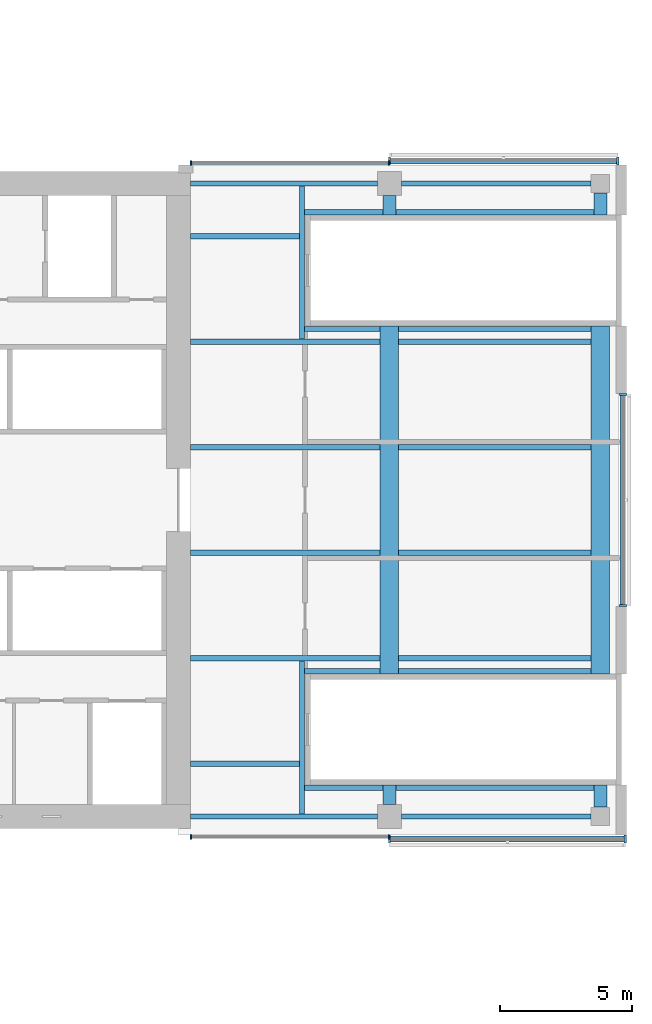
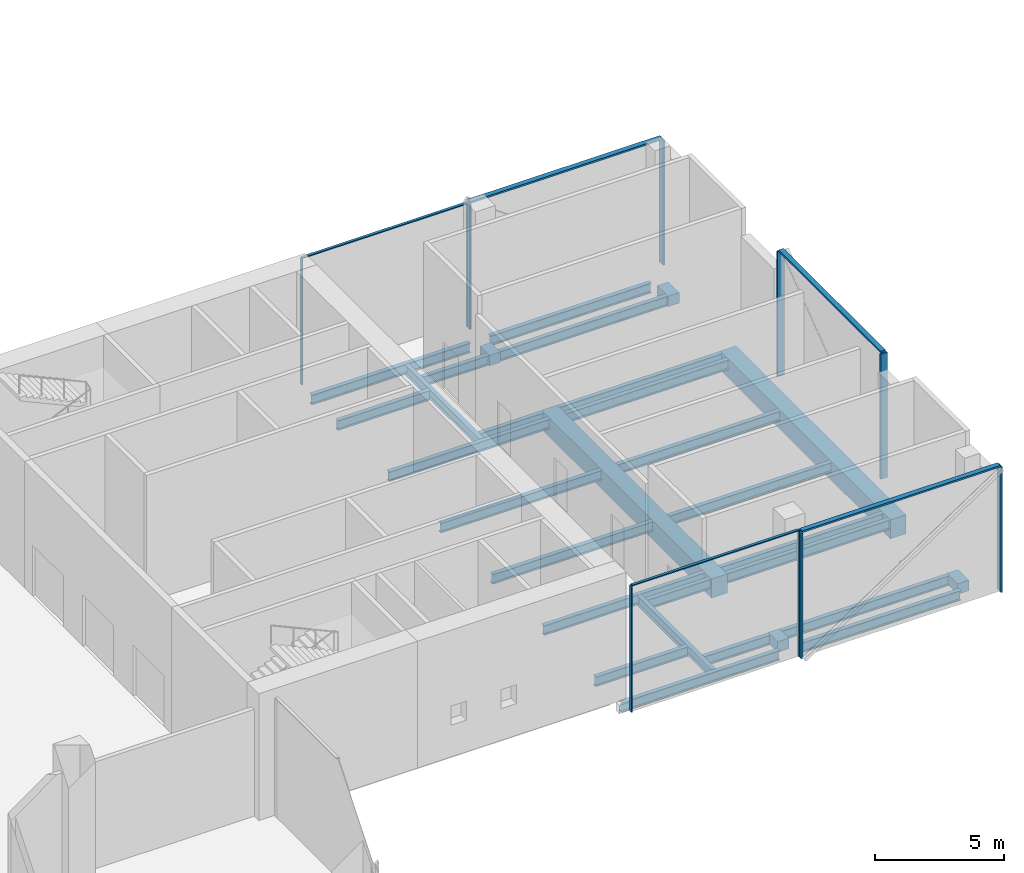
# One storey, part 7 of 23: 30 beams, 15 members, 5 elements without a shape of their own.
"""IFC4 building model written with IfcOpenShell, lengths in metres."""

from ifc_helpers import new_model, si_unit, direction, frame, origin, origin_2d, place, context, subcontext, project, spatial, rectangle, i_section, extrude, material, material_profile, profile_set, type_object, element, aggregate, save


model = new_model("IFC4")

# Units and contexts
model_context = context("Model", 3, precision=1e-05, world=origin(), true_north=direction((0.0, 1.0)))
body_context = subcontext(model_context, "Body", "Model", "MODEL_VIEW")
ifc_project = project(units=[si_unit("LENGTHUNIT", "METRE"), si_unit("AREAUNIT", "SQUARE_METRE"), si_unit("VOLUMEUNIT", "CUBIC_METRE"), si_unit("PLANEANGLEUNIT", "RADIAN"), si_unit("MASSUNIT", "GRAM", prefix="KILO")], contexts=[model_context])

# Site, building, storey
site_placement = place(None, origin())
site = spatial("IfcSite", under=ifc_project, at=site_placement, CompositionType="ELEMENT")
building_placement = place(site_placement, origin())
building = spatial("IfcBuilding", under=site, at=building_placement, Name="Crosswind Convention Tower", CompositionType="ELEMENT")
storey_placement = place(building_placement, frame((0.0, 0.0, 41.5)))
storey = spatial("IfcBuildingStorey", under=building, at=storey_placement, Name="L05", CompositionType="ELEMENT", Elevation=41.5)

# Beams
ifc_material_1 = material(Name="Steel S355", Category="steel")
ifc_material_profile_1 = material_profile(ifc_material_1, i_section(OverallWidth=0.19287109375, OverallDepth=0.467529296875, WebThickness=0.011474609375, FlangeThickness=0.01953125, FilletRadius=0.01025390625, at=origin_2d()), Name="UB 457x191x98")
ifc_profile_set_1 = profile_set([ifc_material_profile_1], Name="Steel S355")
beam_type_1 = type_object("IfcBeamType", Name="Edge beam UB 457x191x98", PredefinedType="SPANDREL", material=ifc_profile_set_1)
for number, where, z_axis, x_axis, name in (
    (1, (153.449951171875, 88.0, -0.6337890625), (1.0, 0.0, 0.0), (0.0, 1.0, 0.0), "B20 L05 edge beam 21"),
    (2, (153.449951171875, 112.0, -0.6337890625), (1.0, 0.0, 0.0), (0.0, 1.0, 0.0), "B20 L05 edge beam 22"),
):
    element("IfcBeam", number, at=place(storey_placement, frame(where, z_axis=z_axis, x_axis=x_axis)), inside=storey, type_object=beam_type_1, Name=name, PredefinedType="SPANDREL", context=body_context, shape_type="SweptSolid", body=[
        extrude(i_section(OverallWidth=0.19287109375, OverallDepth=0.467529296875, WebThickness=0.011474609375, FlangeThickness=0.01953125, FilletRadius=0.01025390625, at=origin_2d()), origin(), (0.0, 0.0, 1.0), 7.10009765625),
    ])
for number, where, z_axis, x_axis, name in (
    (3, (161.449951171875, 88.0, -0.6337890625), (1.0, 0.0, 0.0), (0.0, 1.0, 0.0), "B20 L05 edge beam 23"),
    (4, (161.449951171875, 112.0, -0.6337890625), (1.0, 0.0, 0.0), (0.0, 1.0, 0.0), "B20 L05 edge beam 24"),
):
    element("IfcBeam", number, at=place(storey_placement, frame(where, z_axis=z_axis, x_axis=x_axis)), inside=storey, type_object=beam_type_1, Name=name, PredefinedType="SPANDREL", context=body_context, shape_type="SweptSolid", body=[
        extrude(i_section(OverallWidth=0.19287109375, OverallDepth=0.467529296875, WebThickness=0.011474609375, FlangeThickness=0.01953125, FilletRadius=0.01025390625, at=origin_2d()), origin(), (0.0, 0.0, 1.0), 7.199951171875),
    ])

# Curtain wall, members
ifc_material_2 = material(Name="Aluminium unitised curtain wall", Category="aluminium")
curtain_wall_type_1 = type_object("IfcCurtainWallType", Name="CORE END SLOT WALL 160", PredefinedType="USERDEFINED", material=ifc_material_2)
curtain_wall_1_placement = place(storey_placement, origin())
curtain_wall_1 = element("IfcCurtainWall", 5, at=curtain_wall_1_placement, inside=storey, type_object=curtain_wall_type_1, Name="CW6 L05 E-N.1-2 slot", ObjectType="UNITISED", PredefinedType="USERDEFINED")
ifc_material_3 = material(Name="Aluminium mullion", Category="aluminium")
ifc_material_profile_2 = material_profile(ifc_material_3, rectangle(XDim=0.159912109375, YDim=0.050048828125, at=origin_2d()), Name="AL 160X50")
ifc_profile_set_2 = profile_set([ifc_material_profile_2], Name="Aluminium mullion")
member_type_1 = type_object("IfcMemberType", Name="MULLION 50X160", PredefinedType="MULLION", material=ifc_profile_set_2)
member_1_placement = place(storey_placement, frame((160.97509765625, 112.780029296875, -0.39990234375), z_axis=(0.0, 0.0, 1.0), x_axis=(0.0, 1.0, 0.0)))
member_1 = element("IfcMember", 6, at=member_1_placement, type_object=member_type_1, Name="CW6 mullion 1", PredefinedType="MULLION", context=body_context, shape_type="SweptSolid", body=[
    extrude(rectangle(XDim=0.159912109375, YDim=0.050048828125, at=origin_2d()), origin(), (0.0, 0.0, 1.0), 5.949951171875),
])
member_2_placement = place(storey_placement, frame((153.47509765625, 112.780029296875, -0.39990234375), z_axis=(0.0, 0.0, 1.0), x_axis=(0.0, 1.0, 0.0)))
member_2 = element("IfcMember", 7, at=member_2_placement, type_object=member_type_1, Name="CW6 mullion 2", PredefinedType="MULLION", context=body_context, shape_type="SweptSolid", body=[
    extrude(rectangle(XDim=0.159912109375, YDim=0.050048828125, at=origin_2d()), origin(), (0.0, 0.0, 1.0), 5.949951171875),
])

curtain_wall_2_placement = place(storey_placement, origin())
curtain_wall_2 = element("IfcCurtainWall", 8, at=curtain_wall_2_placement, inside=storey, type_object=curtain_wall_type_1, Name="CW6 L05 E-S.2-1 slot", ObjectType="UNITISED", PredefinedType="USERDEFINED")
member_3_placement = place(storey_placement, frame((153.47509765625, 87.219970703125, -0.39990234375), z_axis=(0.0, 0.0, 1.0), x_axis=(0.0, -1.0, 0.0)))
member_3 = element("IfcMember", 9, at=member_3_placement, type_object=member_type_1, Name="CW6 mullion 1", PredefinedType="MULLION", context=body_context, shape_type="SweptSolid", body=[
    extrude(rectangle(XDim=0.159912109375, YDim=0.050048828125, at=origin_2d()), origin(), (0.0, 0.0, 1.0), 5.949951171875),
])
member_4_placement = place(storey_placement, frame((160.97509765625, 87.219970703125, -0.39990234375), z_axis=(0.0, 0.0, 1.0), x_axis=(0.0, -1.0, 0.0)))
member_4 = element("IfcMember", 10, at=member_4_placement, type_object=member_type_1, Name="CW6 mullion 2", PredefinedType="MULLION", context=body_context, shape_type="SweptSolid", body=[
    extrude(rectangle(XDim=0.159912109375, YDim=0.050048828125, at=origin_2d()), origin(), (0.0, 0.0, 1.0), 5.949951171875),
])

curtain_wall_type_2 = type_object("IfcCurtainWallType", Name="PODIUM UNITISED WALL 300", PredefinedType="USERDEFINED", material=ifc_material_2)
curtain_wall_3_placement = place(storey_placement, origin())
curtain_wall_3 = element("IfcCurtainWall", 11, at=curtain_wall_3_placement, inside=storey, type_object=curtain_wall_type_2, Name="CW1 L05 E-TIP 1", ObjectType="UNITISED", PredefinedType="USERDEFINED")
ifc_material_profile_3 = material_profile(ifc_material_3, rectangle(XDim=0.300048828125, YDim=0.080078125, at=origin_2d()), Name="AL 300X80")
ifc_profile_set_3 = profile_set([ifc_material_profile_3], Name="Aluminium mullion")
member_type_2 = type_object("IfcMemberType", Name="MULLION 80X300", PredefinedType="MULLION", material=ifc_profile_set_3)
member_5_placement = place(storey_placement, frame((169.85009765625, 96.0, -0.39990234375), z_axis=(0.0, 0.0, 1.0), x_axis=(1.0, 0.0, 0.0)))
member_5 = element("IfcMember", 12, at=member_5_placement, type_object=member_type_2, Name="CW1 mullion 1", PredefinedType="MULLION", context=body_context, shape_type="SweptSolid", body=[
    extrude(rectangle(XDim=0.300048828125, YDim=0.080078125, at=origin_2d()), origin(), (0.0, 0.0, 1.0), 5.919921875),
])
member_6_placement = place(storey_placement, frame((169.85009765625, 104.0, -0.39990234375), z_axis=(0.0, 0.0, 1.0), x_axis=(1.0, 0.0, 0.0)))
member_6 = element("IfcMember", 13, at=member_6_placement, type_object=member_type_2, Name="CW1 mullion 2", PredefinedType="MULLION", context=body_context, shape_type="SweptSolid", body=[
    extrude(rectangle(XDim=0.300048828125, YDim=0.080078125, at=origin_2d()), origin(), (0.0, 0.0, 1.0), 5.919921875),
])

curtain_wall_4_placement = place(storey_placement, origin())
curtain_wall_4 = element("IfcCurtainWall", 14, at=curtain_wall_4_placement, inside=storey, type_object=curtain_wall_type_2, Name="CW1 L05 E-N 1", ObjectType="UNITISED", PredefinedType="USERDEFINED")
member_7_placement = place(storey_placement, frame((169.659912109375, 112.85009765625, -0.39990234375), z_axis=(0.0, 0.0, 1.0), x_axis=(0.0, 1.0, 0.0)))
member_7 = element("IfcMember", 15, at=member_7_placement, type_object=member_type_2, Name="CW1 mullion 1", PredefinedType="MULLION", context=body_context, shape_type="SweptSolid", body=[
    extrude(rectangle(XDim=0.300048828125, YDim=0.080078125, at=origin_2d()), origin(), (0.0, 0.0, 1.0), 5.919921875),
])
member_8_placement = place(storey_placement, frame((161.0, 112.85009765625, -0.39990234375), z_axis=(0.0, 0.0, 1.0), x_axis=(0.0, 1.0, 0.0)))
member_8 = element("IfcMember", 16, at=member_8_placement, type_object=member_type_2, Name="CW1 mullion 2", PredefinedType="MULLION", context=body_context, shape_type="SweptSolid", body=[
    extrude(rectangle(XDim=0.300048828125, YDim=0.080078125, at=origin_2d()), origin(), (0.0, 0.0, 1.0), 5.919921875),
])

curtain_wall_5_placement = place(storey_placement, origin())
curtain_wall_5 = element("IfcCurtainWall", 17, at=curtain_wall_5_placement, inside=storey, type_object=curtain_wall_type_2, Name="CW1 L05 E-S 2", ObjectType="UNITISED", PredefinedType="USERDEFINED")
member_9_placement = place(storey_placement, frame((161.0, 87.14990234375, -0.39990234375), z_axis=(0.0, 0.0, 1.0), x_axis=(0.0, -1.0, 0.0)))
member_9 = element("IfcMember", 18, at=member_9_placement, type_object=member_type_2, Name="CW1 mullion 1", PredefinedType="MULLION", context=body_context, shape_type="SweptSolid", body=[
    extrude(rectangle(XDim=0.300048828125, YDim=0.080078125, at=origin_2d()), origin(), (0.0, 0.0, 1.0), 5.919921875),
])
member_10_placement = place(storey_placement, frame((169.945068359375, 87.14990234375, -0.39990234375), z_axis=(0.0, 0.0, 1.0), x_axis=(0.0, -1.0, 0.0)))
member_10 = element("IfcMember", 19, at=member_10_placement, type_object=member_type_2, Name="CW1 mullion 2", PredefinedType="MULLION", context=body_context, shape_type="SweptSolid", body=[
    extrude(rectangle(XDim=0.300048828125, YDim=0.080078125, at=origin_2d()), origin(), (0.0, 0.0, 1.0), 5.919921875),
])

# Beams
ifc_material_4 = material(Name="Concrete C60/75", Category="concrete")
ifc_material_profile_4 = material_profile(ifc_material_4, rectangle(XDim=0.699951171875, YDim=0.89990234375, at=origin_2d()), Name="RC 700X900")
ifc_profile_set_4 = profile_set([ifc_material_profile_4], Name="Concrete C60/75")
beam_type_2 = type_object("IfcBeamType", Name="Prestressed concrete girder between stair walls RC 700X900", PredefinedType="BEAM", material=ifc_profile_set_4)
for number, where, z_axis, x_axis, name in (
    (20, (161.0, 93.39990234375, -0.85009765625), (0.0, 1.0, 0.0), (-1.0, 0.0, 0.0), "B41 L05 prestressed concrete girder between stair walls 7"),
    (21, (169.0, 93.39990234375, -0.85009765625), (0.0, 1.0, 0.0), (-1.0, 0.0, 0.0), "B41 L05 prestressed concrete girder between stair walls 8"),
):
    element("IfcBeam", number, at=place(storey_placement, frame(where, z_axis=z_axis, x_axis=x_axis)), inside=storey, type_object=beam_type_2, Name=name, PredefinedType="BEAM", context=body_context, shape_type="SweptSolid", body=[
        extrude(rectangle(XDim=0.699951171875, YDim=0.89990234375, at=origin_2d()), origin(), (0.0, 0.0, 1.0), 13.2001953125),
    ])
ifc_material_profile_5 = material_profile(ifc_material_1, i_section(OverallWidth=0.19140625, OverallDepth=0.460205078125, WebThickness=0.010009765625, FlangeThickness=0.01611328125, FilletRadius=0.01025390625, at=origin_2d()), Name="UB 457x191x82")
ifc_profile_set_5 = profile_set([ifc_material_profile_5], Name="Steel S355")
beam_type_3 = type_object("IfcBeamType", Name="Secondary beam UB 457x191x82", PredefinedType="JOIST", material=ifc_profile_set_5)
beam_1_placement = place(storey_placement, frame((153.449951171875, 90.0, -0.630126953125), z_axis=(1.0, 0.0, 0.0), x_axis=(0.0, 1.0, 0.0)))
element("IfcBeam", 22, at=beam_1_placement, inside=storey, type_object=beam_type_3, Name="B13 L05 secondary beam 64", PredefinedType="JOIST", context=body_context, shape_type="SweptSolid", body=[
    extrude(i_section(OverallWidth=0.19140625, OverallDepth=0.460205078125, WebThickness=0.010009765625, FlangeThickness=0.01611328125, FilletRadius=0.01025390625, at=origin_2d()), origin(), (0.0, 0.0, 1.0), 4.14404296875),
])
for number, where, z_axis, x_axis, name in (
    (23, (153.449951171875, 94.0, -0.630126953125), (1.0, 0.0, 0.0), (0.0, 1.0, 0.0), "B13 L05 secondary beam 65"),
    (24, (153.449951171875, 98.0, -0.630126953125), (1.0, 0.0, 0.0), (0.0, 1.0, 0.0), "B13 L05 secondary beam 66"),
    (25, (153.449951171875, 102.0, -0.630126953125), (1.0, 0.0, 0.0), (0.0, 1.0, 0.0), "B13 L05 secondary beam 67"),
    (26, (153.449951171875, 106.0, -0.630126953125), (1.0, 0.0, 0.0), (0.0, 1.0, 0.0), "B13 L05 secondary beam 68"),
):
    element("IfcBeam", number, at=place(storey_placement, frame(where, z_axis=z_axis, x_axis=x_axis)), inside=storey, type_object=beam_type_3, Name=name, PredefinedType="JOIST", context=body_context, shape_type="SweptSolid", body=[
        extrude(i_section(OverallWidth=0.19140625, OverallDepth=0.460205078125, WebThickness=0.010009765625, FlangeThickness=0.01611328125, FilletRadius=0.01025390625, at=origin_2d()), origin(), (0.0, 0.0, 1.0), 7.199951171875),
    ])
beam_2_placement = place(storey_placement, frame((153.449951171875, 110.0, -0.630126953125), z_axis=(1.0, 0.0, 0.0), x_axis=(0.0, 1.0, 0.0)))
element("IfcBeam", 27, at=beam_2_placement, inside=storey, type_object=beam_type_3, Name="B13 L05 secondary beam 69", PredefinedType="JOIST", context=body_context, shape_type="SweptSolid", body=[
    extrude(i_section(OverallWidth=0.19140625, OverallDepth=0.460205078125, WebThickness=0.010009765625, FlangeThickness=0.01611328125, FilletRadius=0.01025390625, at=origin_2d()), origin(), (0.0, 0.0, 1.0), 4.14404296875),
])
for number, where, z_axis, x_axis, name in (
    (28, (161.35009765625, 94.0, -0.630126953125), (1.0, 0.0, 0.0), (0.0, 1.0, 0.0), "B13 L05 secondary beam 70"),
    (29, (161.35009765625, 98.0, -0.630126953125), (1.0, 0.0, 0.0), (0.0, 1.0, 0.0), "B13 L05 secondary beam 71"),
    (30, (161.35009765625, 102.0, -0.630126953125), (1.0, 0.0, 0.0), (0.0, 1.0, 0.0), "B13 L05 secondary beam 72"),
    (31, (161.35009765625, 106.0, -0.630126953125), (1.0, 0.0, 0.0), (0.0, 1.0, 0.0), "B13 L05 secondary beam 73"),
):
    element("IfcBeam", number, at=place(storey_placement, frame(where, z_axis=z_axis, x_axis=x_axis)), inside=storey, type_object=beam_type_3, Name=name, PredefinedType="JOIST", context=body_context, shape_type="SweptSolid", body=[
        extrude(i_section(OverallWidth=0.19140625, OverallDepth=0.460205078125, WebThickness=0.010009765625, FlangeThickness=0.01611328125, FilletRadius=0.01025390625, at=origin_2d()), origin(), (0.0, 0.0, 1.0), 7.2998046875),
    ])
ifc_material_profile_6 = material_profile(ifc_material_4, rectangle(XDim=0.5, YDim=0.5, at=origin_2d()), Name="RC 500X500")
ifc_profile_set_6 = profile_set([ifc_material_profile_6], Name="Concrete C60/75")
beam_type_4 = type_object("IfcBeamType", Name="Slab edge tie beam RC 500X500", PredefinedType="BEAM", material=ifc_profile_set_6)
for number, where, z_axis, x_axis, name in (
    (32, (161.0, 88.449951171875, -0.64990234375), (0.0, 1.0, 0.0), (-1.0, 0.0, 0.0), "B42 L05 slab edge tie beam 13"),
    (33, (161.0, 110.800048828125, -0.64990234375), (0.0, 1.0, 0.0), (-1.0, 0.0, 0.0), "B42 L05 slab edge tie beam 14"),
):
    element("IfcBeam", number, at=place(storey_placement, frame(where, z_axis=z_axis, x_axis=x_axis)), inside=storey, type_object=beam_type_4, Name=name, PredefinedType="BEAM", context=body_context, shape_type="SweptSolid", body=[
        extrude(rectangle(XDim=0.5, YDim=0.5, at=origin_2d()), origin(), (0.0, 0.0, 1.0), 0.75),
    ])
for number, where, z_axis, x_axis, name in (
    (34, (169.0, 88.35009765625, -0.64990234375), (0.0, 1.0, 0.0), (-1.0, 0.0, 0.0), "B42 L05 slab edge tie beam 15"),
    (35, (169.0, 110.800048828125, -0.64990234375), (0.0, 1.0, 0.0), (-1.0, 0.0, 0.0), "B42 L05 slab edge tie beam 16"),
):
    element("IfcBeam", number, at=place(storey_placement, frame(where, z_axis=z_axis, x_axis=x_axis)), inside=storey, type_object=beam_type_4, Name=name, PredefinedType="BEAM", context=body_context, shape_type="SweptSolid", body=[
        extrude(rectangle(XDim=0.5, YDim=0.5, at=origin_2d()), origin(), (0.0, 0.0, 1.0), 0.849853515625),
    ])

# Member
ifc_material_5 = material(Name="Aluminium transom", Category="aluminium")
ifc_material_profile_7 = material_profile(ifc_material_5, rectangle(XDim=0.1201171875, YDim=0.050048828125, at=origin_2d()), Name="AL 120X50")
ifc_profile_set_7 = profile_set([ifc_material_profile_7], Name="Aluminium transom")
member_type_3 = type_object("IfcMemberType", Name="TRANSOM 50X120", PredefinedType="USERDEFINED", material=ifc_profile_set_7)
member_11_placement = place(storey_placement, frame((160.949951171875, 112.780029296875, 5.574951171875), z_axis=(-1.0, 0.0, 0.0), x_axis=(0.0, -1.0, 0.0)))
member_11 = element("IfcMember", 36, at=member_11_placement, type_object=member_type_3, Name="CW6 transom", ObjectType="TRANSOM", PredefinedType="USERDEFINED", context=body_context, shape_type="SweptSolid", body=[
    extrude(rectangle(XDim=0.1201171875, YDim=0.050048828125, at=origin_2d()), origin(), (0.0, 0.0, 1.0), 7.449951171875),
])

aggregate(curtain_wall_1, [member_1, member_2, member_11])

member_12_placement = place(storey_placement, frame((153.5, 87.219970703125, 5.574951171875), z_axis=(1.0, 0.0, 0.0), x_axis=(0.0, 1.0, 0.0)))
member_12 = element("IfcMember", 37, at=member_12_placement, type_object=member_type_3, Name="CW6 transom", ObjectType="TRANSOM", PredefinedType="USERDEFINED", context=body_context, shape_type="SweptSolid", body=[
    extrude(rectangle(XDim=0.1201171875, YDim=0.050048828125, at=origin_2d()), origin(), (0.0, 0.0, 1.0), 7.449951171875),
])

aggregate(curtain_wall_2, [member_3, member_4, member_12])

ifc_material_profile_8 = material_profile(ifc_material_5, rectangle(XDim=0.219970703125, YDim=0.080078125, at=origin_2d()), Name="AL 220X80")
ifc_profile_set_8 = profile_set([ifc_material_profile_8], Name="Aluminium transom")
member_type_4 = type_object("IfcMemberType", Name="TRANSOM 80X220", PredefinedType="USERDEFINED", material=ifc_profile_set_8)
member_13_placement = place(storey_placement, frame((169.85009765625, 96.0400390625, 5.56005859375), z_axis=(0.0, 1.0, 0.0), x_axis=(-1.0, 0.0, 0.0)))
member_13 = element("IfcMember", 38, at=member_13_placement, type_object=member_type_4, Name="CW1 transom", ObjectType="TRANSOM", PredefinedType="USERDEFINED", context=body_context, shape_type="SweptSolid", body=[
    extrude(rectangle(XDim=0.219970703125, YDim=0.080078125, at=origin_2d()), origin(), (0.0, 0.0, 1.0), 7.919921875),
])

aggregate(curtain_wall_3, [member_5, member_6, member_13])

member_14_placement = place(storey_placement, frame((169.6201171875, 112.85009765625, 5.56005859375), z_axis=(-1.0, 0.0, 0.0), x_axis=(0.0, -1.0, 0.0)))
member_14 = element("IfcMember", 39, at=member_14_placement, type_object=member_type_4, Name="CW1 transom", ObjectType="TRANSOM", PredefinedType="USERDEFINED", context=body_context, shape_type="SweptSolid", body=[
    extrude(rectangle(XDim=0.219970703125, YDim=0.080078125, at=origin_2d()), origin(), (0.0, 0.0, 1.0), 8.580078125),
])

aggregate(curtain_wall_4, [member_7, member_8, member_14])

member_15_placement = place(storey_placement, frame((161.0400390625, 87.14990234375, 5.56005859375), z_axis=(1.0, 0.0, 0.0), x_axis=(0.0, 1.0, 0.0)))
member_15 = element("IfcMember", 40, at=member_15_placement, type_object=member_type_4, Name="CW1 transom", ObjectType="TRANSOM", PredefinedType="USERDEFINED", context=body_context, shape_type="SweptSolid", body=[
    extrude(rectangle(XDim=0.219970703125, YDim=0.080078125, at=origin_2d()), origin(), (0.0, 0.0, 1.0), 8.864990234375),
])

aggregate(curtain_wall_5, [member_9, member_10, member_15])

# Beams
ifc_material_profile_9 = material_profile(ifc_material_1, i_section(OverallWidth=0.19189453125, OverallDepth=0.463623046875, WebThickness=0.010498046875, FlangeThickness=0.017578125, FilletRadius=0.01025390625, at=origin_2d()), Name="UB 457x191x90")
ifc_profile_set_9 = profile_set([ifc_material_profile_9], Name="Steel S355")
beam_type_5 = type_object("IfcBeamType", Name="Trimmer beam UB 457x191x90", PredefinedType="BEAM", material=ifc_profile_set_9)
for number, where, z_axis, x_axis, name in (
    (41, (157.68994140625, 88.096435546875, -0.6318359375), (0.0, 1.0, 0.0), (-1.0, 0.0, 0.0), "B33 L05 trimmer beam 31"),
    (42, (157.68994140625, 106.095703125, -0.6318359375), (0.0, 1.0, 0.0), (-1.0, 0.0, 0.0), "B33 L05 trimmer beam 32"),
):
    element("IfcBeam", number, at=place(storey_placement, frame(where, z_axis=z_axis, x_axis=x_axis)), inside=storey, type_object=beam_type_5, Name=name, PredefinedType="BEAM", context=body_context, shape_type="SweptSolid", body=[
        extrude(i_section(OverallWidth=0.19189453125, OverallDepth=0.463623046875, WebThickness=0.010498046875, FlangeThickness=0.017578125, FilletRadius=0.01025390625, at=origin_2d()), origin(), (0.0, 0.0, 1.0), 5.807861328125),
    ])
beam_3_placement = place(storey_placement, frame((157.785888671875, 89.090087890625, -0.6318359375), z_axis=(1.0, 0.0, 0.0), x_axis=(0.0, 1.0, 0.0)))
element("IfcBeam", 43, at=beam_3_placement, inside=storey, type_object=beam_type_5, Name="B33 L05 trimmer beam 33", PredefinedType="BEAM", context=body_context, shape_type="SweptSolid", body=[
    extrude(i_section(OverallWidth=0.19189453125, OverallDepth=0.463623046875, WebThickness=0.010498046875, FlangeThickness=0.017578125, FilletRadius=0.01025390625, at=origin_2d()), origin(), (0.0, 0.0, 1.0), 2.964111328125),
])
for number, where, z_axis, x_axis, name in (
    (44, (157.785888671875, 93.510009765625, -0.6318359375), (1.0, 0.0, 0.0), (0.0, 1.0, 0.0), "B33 L05 trimmer beam 34"),
    (45, (157.785888671875, 106.489990234375, -0.6318359375), (1.0, 0.0, 0.0), (0.0, 1.0, 0.0), "B33 L05 trimmer beam 35"),
):
    element("IfcBeam", number, at=place(storey_placement, frame(where, z_axis=z_axis, x_axis=x_axis)), inside=storey, type_object=beam_type_5, Name=name, PredefinedType="BEAM", context=body_context, shape_type="SweptSolid", body=[
        extrude(i_section(OverallWidth=0.19189453125, OverallDepth=0.463623046875, WebThickness=0.010498046875, FlangeThickness=0.017578125, FilletRadius=0.01025390625, at=origin_2d()), origin(), (0.0, 0.0, 1.0), 2.864013671875),
    ])
beam_4_placement = place(storey_placement, frame((157.785888671875, 110.909912109375, -0.6318359375), z_axis=(1.0, 0.0, 0.0), x_axis=(0.0, 1.0, 0.0)))
element("IfcBeam", 46, at=beam_4_placement, inside=storey, type_object=beam_type_5, Name="B33 L05 trimmer beam 36", PredefinedType="BEAM", context=body_context, shape_type="SweptSolid", body=[
    extrude(i_section(OverallWidth=0.19189453125, OverallDepth=0.463623046875, WebThickness=0.010498046875, FlangeThickness=0.017578125, FilletRadius=0.01025390625, at=origin_2d()), origin(), (0.0, 0.0, 1.0), 2.964111328125),
])
for number, where, z_axis, x_axis, name in (
    (47, (161.25, 89.090087890625, -0.6318359375), (1.0, 0.0, 0.0), (0.0, 1.0, 0.0), "B33 L05 trimmer beam 37"),
    (48, (161.25, 110.909912109375, -0.6318359375), (1.0, 0.0, 0.0), (0.0, 1.0, 0.0), "B33 L05 trimmer beam 38"),
):
    element("IfcBeam", number, at=place(storey_placement, frame(where, z_axis=z_axis, x_axis=x_axis)), inside=storey, type_object=beam_type_5, Name=name, PredefinedType="BEAM", context=body_context, shape_type="SweptSolid", body=[
        extrude(i_section(OverallWidth=0.19189453125, OverallDepth=0.463623046875, WebThickness=0.010498046875, FlangeThickness=0.017578125, FilletRadius=0.01025390625, at=origin_2d()), origin(), (0.0, 0.0, 1.0), 7.5),
    ])
for number, where, z_axis, x_axis, name in (
    (49, (161.35009765625, 93.510009765625, -0.6318359375), (1.0, 0.0, 0.0), (0.0, 1.0, 0.0), "B33 L05 trimmer beam 39"),
    (50, (161.35009765625, 106.489990234375, -0.6318359375), (1.0, 0.0, 0.0), (0.0, 1.0, 0.0), "B33 L05 trimmer beam 40"),
):
    element("IfcBeam", number, at=place(storey_placement, frame(where, z_axis=z_axis, x_axis=x_axis)), inside=storey, type_object=beam_type_5, Name=name, PredefinedType="BEAM", context=body_context, shape_type="SweptSolid", body=[
        extrude(i_section(OverallWidth=0.19189453125, OverallDepth=0.463623046875, WebThickness=0.010498046875, FlangeThickness=0.017578125, FilletRadius=0.01025390625, at=origin_2d()), origin(), (0.0, 0.0, 1.0), 7.2998046875),
    ])

save(model, "model.ifc")
